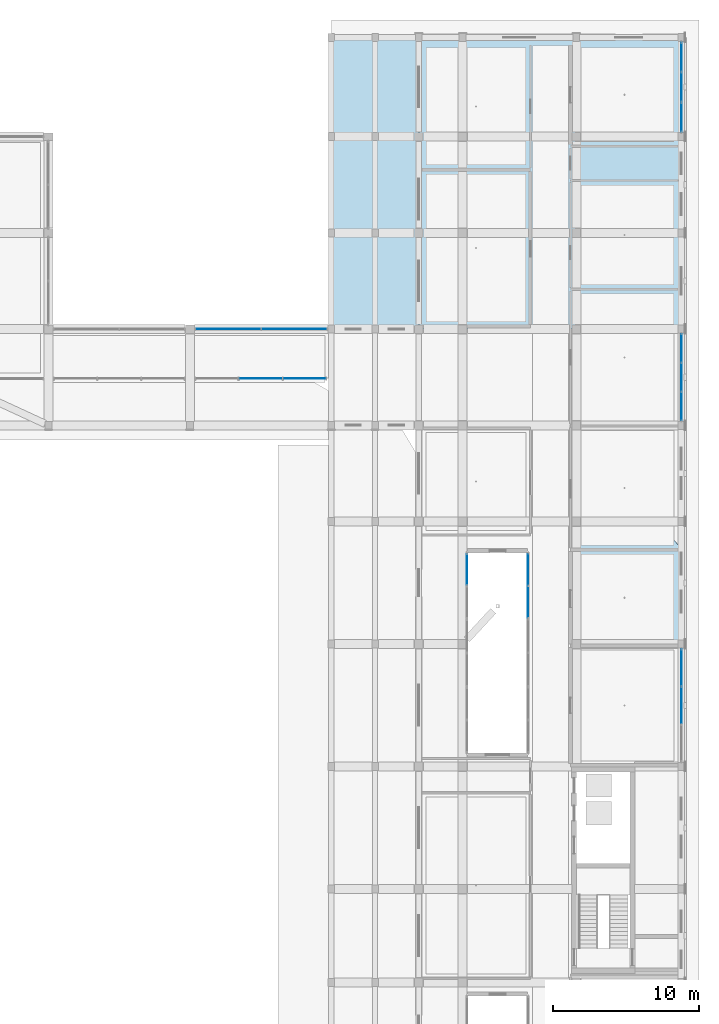
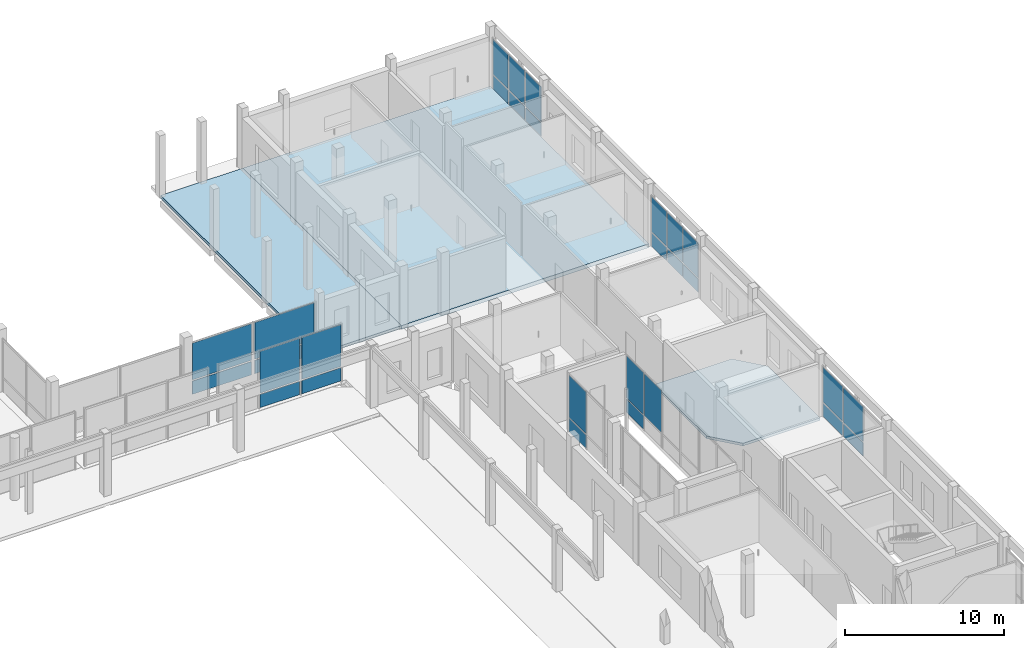
# One storey, part 45 of 88: 29 plates, 3 slabs, 7 elements without a shape of their own.
"""IFC4 building model written with IfcOpenShell, lengths in metres."""

from ifc_helpers import new_model, si_unit, derived_unit, direction, frame, origin, origin_2d, place, context, subcontext, project, spatial, polyline, rectangle, outline, extrude, material, layer, layer_set, type_object, element, aggregate, save


model = new_model("IFC4")

# Units and contexts
model_context = context("Model", 3, precision=1e-05, world=origin(), true_north=direction((0.0, 1.0)))
body_context = subcontext(model_context, "Body", "Model", "MODEL_VIEW")
ifc_project = project(units=[si_unit("LENGTHUNIT", "METRE"), si_unit("AREAUNIT", "SQUARE_METRE"), si_unit("VOLUMEUNIT", "CUBIC_METRE"), si_unit("PLANEANGLEUNIT", "RADIAN"), si_unit("MASSUNIT", "GRAM", prefix="KILO"), derived_unit("THERMALTRANSMITTANCEUNIT", [(si_unit("POWERUNIT", "WATT"), 1), (si_unit("LENGTHUNIT", "METRE"), -2), (si_unit("THERMODYNAMICTEMPERATUREUNIT", "KELVIN"), -1)])], contexts=[model_context])

# Site, building, storey
site_placement = place(None, origin())
site = spatial("IfcSite", under=ifc_project, at=site_placement, CompositionType="ELEMENT")
building_placement = place(site_placement, origin())
building = spatial("IfcBuilding", under=site, at=building_placement, Name="Braskholm Square Health Centre", CompositionType="ELEMENT")
storey_placement = place(building_placement, origin())
storey = spatial("IfcBuildingStorey", under=building, at=storey_placement, Name="L01", CompositionType="ELEMENT", Elevation=0.0)

# Slab
ifc_material_1 = material(Name="Precast concrete C40/50 architectural white", Category="concrete")
ifc_layer_1 = layer(ifc_material_1, 0.22509765625)
ifc_layer_set_1 = layer_set([ifc_layer_1], Name="Precast concrete C40/50 architectural white")
slab_type_1 = type_object("IfcSlabType", Name="ColonnadeWalkwaySlab225", PredefinedType="FLOOR", material=ifc_layer_set_1)
slab_1_placement = place(storey_placement, frame((0.0, 0.0, -0.22509765625)))
element("IfcSlab", 1, at=slab_1_placement, inside=storey, type_object=slab_type_1, Name="Northeast garden colonnade walkway", PredefinedType="FLOOR", context=body_context, shape_type="SweptSolid", body=[
    extrude(outline(polyline([(139.800048828125, 93.800048828125), (145.800048828125, 93.800048828125), (145.800048828125, 113.800048828125), (139.800048828125, 113.800048828125), (139.800048828125, 93.800048828125)])), origin(), (0.0, 0.0, 1.0), 0.22509765625),
])

# Curtain wall, plates
ifc_material_2 = material(Name="Low-E triple insulating glass (VLT 0.64)", Category="glass")
curtain_wall_type_1 = type_object("IfcCurtainWallType", Name="UnitisedCurtainWall6200x4100", PredefinedType="NOTDEFINED", material=ifc_material_2)
curtain_wall_1_placement = place(storey_placement, origin())
curtain_wall_1 = element("IfcCurtainWall", 2, at=curtain_wall_1_placement, inside=storey, type_object=curtain_wall_type_1, Name="East Storefront unitised curtain wall CW-L01-0050", PredefinedType="NOTDEFINED")
ifc_material_3 = material(Name="Architectural bronze anodised aluminium", Category="aluminium")
plate_type_1 = type_object("IfcPlateType", Name="CurtainPanelSpandrel1850x1020", PredefinedType="CURTAIN_PANEL", material=ifc_material_3)
plate_1_placement = place(storey_placement, frame((163.800048828125, 88.493408203125, 0.050048828125), z_axis=(0.0, 0.0, 1.0), x_axis=(0.0, 1.0, 0.0)))
plate_1 = element("IfcPlate", 3, at=plate_1_placement, type_object=plate_type_1, Name="CW-L01-0050 spandrel panel 1", PredefinedType="CURTAIN_PANEL", context=body_context, shape_type="SweptSolid", body=[
    extrude(rectangle(XDim=1.88623046875, YDim=0.035888671875, at=origin_2d()), origin(), (0.0, 0.0, 1.0), 1.02001953125),
])
plate_2_placement = place(storey_placement, frame((163.800048828125, 90.5, 0.050048828125), z_axis=(0.0, 0.0, 1.0), x_axis=(0.0, 1.0, 0.0)))
plate_2 = element("IfcPlate", 4, at=plate_2_placement, type_object=plate_type_1, Name="CW-L01-0050 spandrel panel 2", PredefinedType="CURTAIN_PANEL", context=body_context, shape_type="SweptSolid", body=[
    extrude(rectangle(XDim=1.88623046875, YDim=0.035888671875, at=origin_2d()), origin(), (0.0, 0.0, 1.0), 1.02001953125),
])
plate_3_placement = place(storey_placement, frame((163.800048828125, 92.506591796875, 0.050048828125), z_axis=(0.0, 0.0, 1.0), x_axis=(0.0, 1.0, 0.0)))
plate_3 = element("IfcPlate", 5, at=plate_3_placement, type_object=plate_type_1, Name="CW-L01-0050 spandrel panel 3", PredefinedType="CURTAIN_PANEL", context=body_context, shape_type="SweptSolid", body=[
    extrude(rectangle(XDim=1.88623046875, YDim=0.035888671875, at=origin_2d()), origin(), (0.0, 0.0, 1.0), 1.02001953125),
])

curtain_wall_2_placement = place(storey_placement, origin())
curtain_wall_2 = element("IfcCurtainWall", 6, at=curtain_wall_2_placement, inside=storey, type_object=curtain_wall_type_1, Name="East Storefront unitised curtain wall CW-L01-0051", PredefinedType="NOTDEFINED")
plate_4_placement = place(storey_placement, frame((163.800048828125, 108.32666015625, 0.050048828125), z_axis=(0.0, 0.0, 1.0), x_axis=(0.0, 1.0, 0.0)))
plate_4 = element("IfcPlate", 7, at=plate_4_placement, type_object=plate_type_1, Name="CW-L01-0051 spandrel panel 1", PredefinedType="CURTAIN_PANEL", context=body_context, shape_type="SweptSolid", body=[
    extrude(rectangle(XDim=1.948974609375, YDim=0.035888671875, at=origin_2d()), origin(), (0.0, 0.0, 1.0), 1.02001953125),
])
plate_5_placement = place(storey_placement, frame((163.800048828125, 110.39990234375, 0.050048828125), z_axis=(0.0, 0.0, 1.0), x_axis=(0.0, 1.0, 0.0)))
plate_5 = element("IfcPlate", 8, at=plate_5_placement, type_object=plate_type_1, Name="CW-L01-0051 spandrel panel 2", PredefinedType="CURTAIN_PANEL", context=body_context, shape_type="SweptSolid", body=[
    extrude(rectangle(XDim=1.948974609375, YDim=0.035888671875, at=origin_2d()), origin(), (0.0, 0.0, 1.0), 1.02001953125),
])
plate_6_placement = place(storey_placement, frame((163.800048828125, 112.473388671875, 0.050048828125), z_axis=(0.0, 0.0, 1.0), x_axis=(0.0, 1.0, 0.0)))
plate_6 = element("IfcPlate", 9, at=plate_6_placement, type_object=plate_type_1, Name="CW-L01-0051 spandrel panel 3", PredefinedType="CURTAIN_PANEL", context=body_context, shape_type="SweptSolid", body=[
    extrude(rectangle(XDim=1.948974609375, YDim=0.035888671875, at=origin_2d()), origin(), (0.0, 0.0, 1.0), 1.02001953125),
])

# Curtain wall, plate
curtain_wall_type_2 = type_object("IfcCurtainWallType", Name="UnitisedCurtainWall4800x4400", PredefinedType="NOTDEFINED", material=ifc_material_2)
curtain_wall_3_placement = place(storey_placement, origin())
curtain_wall_3 = element("IfcCurtainWall", 10, at=curtain_wall_3_placement, inside=storey, type_object=curtain_wall_type_2, Name="EC2 Court W unitised curtain wall CW-L01-0355", PredefinedType="NOTDEFINED")
plate_type_2 = type_object("IfcPlateType", Name="CurtainPanelSpandrel2150x1020", PredefinedType="CURTAIN_PANEL", material=ifc_material_3)
plate_7_placement = place(storey_placement, frame((149.10009765625, 77.31591796875, 0.050048828125), z_axis=(0.0, 0.0, 1.0), x_axis=(0.0, 1.0, 0.0)))
plate_7 = element("IfcPlate", 11, at=plate_7_placement, type_object=plate_type_2, Name="CW-L01-0355 spandrel panel 2", PredefinedType="CURTAIN_PANEL", context=body_context, shape_type="SweptSolid", body=[
    extrude(rectangle(XDim=2.125244140625, YDim=0.035888671875, at=origin_2d()), origin(), (0.0, 0.0, 1.0), 1.02001953125),
])

curtain_wall_4_placement = place(storey_placement, origin())
curtain_wall_4 = element("IfcCurtainWall", 12, at=curtain_wall_4_placement, inside=storey, type_object=curtain_wall_type_2, Name="EC2 Court E unitised curtain wall CW-L01-0356", PredefinedType="NOTDEFINED")
plate_8_placement = place(storey_placement, frame((153.300048828125, 77.31591796875, 0.050048828125), z_axis=(0.0, 0.0, 1.0), x_axis=(0.0, -1.0, 0.0)))
plate_8 = element("IfcPlate", 13, at=plate_8_placement, type_object=plate_type_2, Name="CW-L01-0356 spandrel panel 1", PredefinedType="CURTAIN_PANEL", context=body_context, shape_type="SweptSolid", body=[
    extrude(rectangle(XDim=2.125244140625, YDim=0.035888671875, at=origin_2d()), origin(), (0.0, 0.0, 1.0), 1.02001953125),
])

# Curtain wall, plates
curtain_wall_5_placement = place(storey_placement, origin())
curtain_wall_5 = element("IfcCurtainWall", 14, at=curtain_wall_5_placement, inside=storey, type_object=curtain_wall_type_1, Name="East Storefront unitised curtain wall CW-L01-0049", PredefinedType="NOTDEFINED")
plate_type_3 = type_object("IfcPlateType", Name="CurtainPanelSpandrel2750x1020", PredefinedType="CURTAIN_PANEL", material=ifc_material_3)
plate_9_placement = place(storey_placement, frame((163.800048828125, 68.0, 0.050048828125), z_axis=(0.0, 0.0, 1.0), x_axis=(0.0, 1.0, 0.0)))
plate_9 = element("IfcPlate", 15, at=plate_9_placement, type_object=plate_type_3, Name="CW-L01-0049 spandrel panel 2", PredefinedType="CURTAIN_PANEL", context=body_context, shape_type="SweptSolid", body=[
    extrude(rectangle(XDim=2.4501953125, YDim=0.035888671875, at=origin_2d()), origin(), (0.0, 0.0, 1.0), 1.02001953125),
])
plate_10_placement = place(storey_placement, frame((163.800048828125, 70.606689453125, 0.050048828125), z_axis=(0.0, 0.0, 1.0), x_axis=(0.0, 1.0, 0.0)))
plate_10 = element("IfcPlate", 16, at=plate_10_placement, type_object=plate_type_3, Name="CW-L01-0049 spandrel panel 3", PredefinedType="CURTAIN_PANEL", context=body_context, shape_type="SweptSolid", body=[
    extrude(rectangle(XDim=2.4501953125, YDim=0.035888671875, at=origin_2d()), origin(), (0.0, 0.0, 1.0), 1.02001953125),
])

curtain_wall_type_3 = type_object("IfcCurtainWallType", Name="UnitisedCurtainWall6200x4400", PredefinedType="NOTDEFINED", material=ifc_material_2)
curtain_wall_6_placement = place(storey_placement, origin())
curtain_wall_6 = element("IfcCurtainWall", 17, at=curtain_wall_6_placement, inside=storey, type_object=curtain_wall_type_3, Name="Hall Arcade unitised curtain wall CW-L01-0207", PredefinedType="NOTDEFINED")
plate_11_placement = place(storey_placement, frame((134.949951171875, 90.39990234375, 0.050048828125), z_axis=(0.0, 0.0, 1.0), x_axis=(1.0, 0.0, 0.0)))
plate_11 = element("IfcPlate", 18, at=plate_11_placement, type_object=plate_type_3, Name="CW-L01-0207 spandrel panel 2", PredefinedType="CURTAIN_PANEL", context=body_context, shape_type="SweptSolid", body=[
    extrude(rectangle(XDim=2.851318359375, YDim=0.035888671875, at=origin_2d()), origin(), (0.0, 0.0, 1.0), 1.02001953125),
])
plate_12_placement = place(storey_placement, frame((137.9833984375, 90.39990234375, 0.050048828125), z_axis=(0.0, 0.0, 1.0), x_axis=(1.0, 0.0, 0.0)))
plate_12 = element("IfcPlate", 19, at=plate_12_placement, type_object=plate_type_3, Name="CW-L01-0207 spandrel panel 3", PredefinedType="CURTAIN_PANEL", context=body_context, shape_type="SweptSolid", body=[
    extrude(rectangle(XDim=2.851318359375, YDim=0.035888671875, at=origin_2d()), origin(), (0.0, 0.0, 1.0), 1.02001953125),
])

curtain_wall_7_placement = place(storey_placement, origin())
curtain_wall_7 = element("IfcCurtainWall", 20, at=curtain_wall_7_placement, inside=storey, type_object=curtain_wall_type_1, Name="Portal North L01 unitised curtain wall CW-L01-0210", PredefinedType="NOTDEFINED")
plate_type_4 = type_object("IfcPlateType", Name="CurtainPanelSpandrel4350x1020", PredefinedType="CURTAIN_PANEL", material=ifc_material_3)
plate_13_placement = place(storey_placement, frame((137.256591796875, 93.800048828125, 0.050048828125), z_axis=(0.0, 0.0, 1.0), x_axis=(-1.0, 0.0, 0.0)))
plate_13 = element("IfcPlate", 21, at=plate_13_placement, type_object=plate_type_4, Name="CW-L01-0210 spandrel panel 1", PredefinedType="CURTAIN_PANEL", context=body_context, shape_type="SweptSolid", body=[
    extrude(rectangle(XDim=4.312744140625, YDim=0.035888671875, at=origin_2d()), origin(), (0.0, 0.0, 1.0), 1.02001953125),
])
plate_14_placement = place(storey_placement, frame((132.723388671875, 93.800048828125, 0.050048828125), z_axis=(0.0, 0.0, 1.0), x_axis=(-1.0, 0.0, 0.0)))
plate_14 = element("IfcPlate", 22, at=plate_14_placement, type_object=plate_type_4, Name="CW-L01-0210 spandrel panel 2", PredefinedType="CURTAIN_PANEL", context=body_context, shape_type="SweptSolid", body=[
    extrude(rectangle(XDim=4.312744140625, YDim=0.035888671875, at=origin_2d()), origin(), (0.0, 0.0, 1.0), 1.02001953125),
])

# Plate
plate_type_5 = type_object("IfcPlateType", Name="CurtainPanelVision1850x2520", PredefinedType="CURTAIN_PANEL", material=ifc_material_2)
plate_15_placement = place(storey_placement, frame((163.800048828125, 88.493408203125, 1.169921875), z_axis=(0.0, 0.0, 1.0), x_axis=(0.0, 1.0, 0.0)))
plate_15 = element("IfcPlate", 23, at=plate_15_placement, type_object=plate_type_5, Name="CW-L01-0050 vision glass panel 1", PredefinedType="CURTAIN_PANEL", context=body_context, shape_type="SweptSolid", body=[
    extrude(rectangle(XDim=1.88623046875, YDim=0.035888671875, at=origin_2d()), origin(), (0.0, 0.0, 1.0), 2.669921875),
])

plate_16_placement = place(storey_placement, frame((163.800048828125, 90.5, 1.169921875), z_axis=(0.0, 0.0, 1.0), x_axis=(0.0, 1.0, 0.0)))
plate_16 = element("IfcPlate", 24, at=plate_16_placement, type_object=plate_type_5, Name="CW-L01-0050 vision glass panel 2", PredefinedType="CURTAIN_PANEL", context=body_context, shape_type="SweptSolid", body=[
    extrude(rectangle(XDim=1.88623046875, YDim=0.035888671875, at=origin_2d()), origin(), (0.0, 0.0, 1.0), 2.669921875),
])

plate_17_placement = place(storey_placement, frame((163.800048828125, 92.506591796875, 1.169921875), z_axis=(0.0, 0.0, 1.0), x_axis=(0.0, 1.0, 0.0)))
plate_17 = element("IfcPlate", 25, at=plate_17_placement, type_object=plate_type_5, Name="CW-L01-0050 vision glass panel 3", PredefinedType="CURTAIN_PANEL", context=body_context, shape_type="SweptSolid", body=[
    extrude(rectangle(XDim=1.88623046875, YDim=0.035888671875, at=origin_2d()), origin(), (0.0, 0.0, 1.0), 2.669921875),
])

aggregate(curtain_wall_1, [plate_1, plate_15, plate_2, plate_16, plate_3, plate_17])

plate_18_placement = place(storey_placement, frame((163.800048828125, 108.32666015625, 1.169921875), z_axis=(0.0, 0.0, 1.0), x_axis=(0.0, 1.0, 0.0)))
plate_18 = element("IfcPlate", 26, at=plate_18_placement, type_object=plate_type_5, Name="CW-L01-0051 vision glass panel 1", PredefinedType="CURTAIN_PANEL", context=body_context, shape_type="SweptSolid", body=[
    extrude(rectangle(XDim=1.948974609375, YDim=0.035888671875, at=origin_2d()), origin(), (0.0, 0.0, 1.0), 2.669921875),
])

plate_19_placement = place(storey_placement, frame((163.800048828125, 110.39990234375, 1.169921875), z_axis=(0.0, 0.0, 1.0), x_axis=(0.0, 1.0, 0.0)))
plate_19 = element("IfcPlate", 27, at=plate_19_placement, type_object=plate_type_5, Name="CW-L01-0051 vision glass panel 2", PredefinedType="CURTAIN_PANEL", context=body_context, shape_type="SweptSolid", body=[
    extrude(rectangle(XDim=1.948974609375, YDim=0.035888671875, at=origin_2d()), origin(), (0.0, 0.0, 1.0), 2.669921875),
])

plate_20_placement = place(storey_placement, frame((163.800048828125, 112.473388671875, 1.169921875), z_axis=(0.0, 0.0, 1.0), x_axis=(0.0, 1.0, 0.0)))
plate_20 = element("IfcPlate", 28, at=plate_20_placement, type_object=plate_type_5, Name="CW-L01-0051 vision glass panel 3", PredefinedType="CURTAIN_PANEL", context=body_context, shape_type="SweptSolid", body=[
    extrude(rectangle(XDim=1.948974609375, YDim=0.035888671875, at=origin_2d()), origin(), (0.0, 0.0, 1.0), 2.669921875),
])

aggregate(curtain_wall_2, [plate_4, plate_18, plate_5, plate_19, plate_6, plate_20])

plate_type_6 = type_object("IfcPlateType", Name="CurtainPanelVision2150x2950", PredefinedType="CURTAIN_PANEL", material=ifc_material_2)
plate_21_placement = place(storey_placement, frame((149.10009765625, 77.31591796875, 1.169921875), z_axis=(0.0, 0.0, 1.0), x_axis=(0.0, 1.0, 0.0)))
plate_21 = element("IfcPlate", 29, at=plate_21_placement, type_object=plate_type_6, Name="CW-L01-0355 vision glass panel 2", PredefinedType="CURTAIN_PANEL", context=body_context, shape_type="SweptSolid", body=[
    extrude(rectangle(XDim=2.125244140625, YDim=0.035888671875, at=origin_2d()), origin(), (0.0, 0.0, 1.0), 3.219970703125),
])

aggregate(curtain_wall_3, [plate_7, plate_21])

plate_22_placement = place(storey_placement, frame((153.300048828125, 77.31591796875, 1.169921875), z_axis=(0.0, 0.0, 1.0), x_axis=(0.0, -1.0, 0.0)))
plate_22 = element("IfcPlate", 30, at=plate_22_placement, type_object=plate_type_6, Name="CW-L01-0356 vision glass panel 1", PredefinedType="CURTAIN_PANEL", context=body_context, shape_type="SweptSolid", body=[
    extrude(rectangle(XDim=2.125244140625, YDim=0.035888671875, at=origin_2d()), origin(), (0.0, 0.0, 1.0), 3.219970703125),
])

plate_23_placement = place(storey_placement, frame((153.300048828125, 75.08203125, 1.169921875), z_axis=(0.0, 0.0, 1.0), x_axis=(0.0, -1.0, 0.0)))
plate_23 = element("IfcPlate", 31, at=plate_23_placement, type_object=plate_type_6, Name="CW-L01-0356 vision glass panel 2", PredefinedType="CURTAIN_PANEL", context=body_context, shape_type="SweptSolid", body=[
    extrude(rectangle(XDim=2.125244140625, YDim=0.035888671875, at=origin_2d()), origin(), (0.0, 0.0, 1.0), 3.219970703125),
])

aggregate(curtain_wall_4, [plate_8, plate_22, plate_23])

plate_type_7 = type_object("IfcPlateType", Name="CurtainPanelVision2750x2520", PredefinedType="CURTAIN_PANEL", material=ifc_material_2)
plate_24_placement = place(storey_placement, frame((163.800048828125, 68.0, 1.169921875), z_axis=(0.0, 0.0, 1.0), x_axis=(0.0, 1.0, 0.0)))
plate_24 = element("IfcPlate", 32, at=plate_24_placement, type_object=plate_type_7, Name="CW-L01-0049 vision glass panel 2", PredefinedType="CURTAIN_PANEL", context=body_context, shape_type="SweptSolid", body=[
    extrude(rectangle(XDim=2.4501953125, YDim=0.035888671875, at=origin_2d()), origin(), (0.0, 0.0, 1.0), 2.669921875),
])

plate_25_placement = place(storey_placement, frame((163.800048828125, 70.606689453125, 1.169921875), z_axis=(0.0, 0.0, 1.0), x_axis=(0.0, 1.0, 0.0)))
plate_25 = element("IfcPlate", 33, at=plate_25_placement, type_object=plate_type_7, Name="CW-L01-0049 vision glass panel 3", PredefinedType="CURTAIN_PANEL", context=body_context, shape_type="SweptSolid", body=[
    extrude(rectangle(XDim=2.4501953125, YDim=0.035888671875, at=origin_2d()), origin(), (0.0, 0.0, 1.0), 2.669921875),
])

aggregate(curtain_wall_5, [plate_9, plate_24, plate_10, plate_25])

plate_type_8 = type_object("IfcPlateType", Name="CurtainPanelVision2750x2950", PredefinedType="CURTAIN_PANEL", material=ifc_material_2)
plate_26_placement = place(storey_placement, frame((134.949951171875, 90.39990234375, 1.169921875), z_axis=(0.0, 0.0, 1.0), x_axis=(1.0, 0.0, 0.0)))
plate_26 = element("IfcPlate", 34, at=plate_26_placement, type_object=plate_type_8, Name="CW-L01-0207 vision glass panel 2", PredefinedType="CURTAIN_PANEL", context=body_context, shape_type="SweptSolid", body=[
    extrude(rectangle(XDim=2.851318359375, YDim=0.035888671875, at=origin_2d()), origin(), (0.0, 0.0, 1.0), 3.219970703125),
])

plate_27_placement = place(storey_placement, frame((137.9833984375, 90.39990234375, 1.169921875), z_axis=(0.0, 0.0, 1.0), x_axis=(1.0, 0.0, 0.0)))
plate_27 = element("IfcPlate", 35, at=plate_27_placement, type_object=plate_type_8, Name="CW-L01-0207 vision glass panel 3", PredefinedType="CURTAIN_PANEL", context=body_context, shape_type="SweptSolid", body=[
    extrude(rectangle(XDim=2.851318359375, YDim=0.035888671875, at=origin_2d()), origin(), (0.0, 0.0, 1.0), 3.219970703125),
])

aggregate(curtain_wall_6, [plate_11, plate_26, plate_12, plate_27])

plate_type_9 = type_object("IfcPlateType", Name="CurtainPanelVision4350x2950", PredefinedType="CURTAIN_PANEL", material=ifc_material_2)
plate_28_placement = place(storey_placement, frame((137.256591796875, 93.800048828125, 1.169921875), z_axis=(0.0, 0.0, 1.0), x_axis=(-1.0, 0.0, 0.0)))
plate_28 = element("IfcPlate", 36, at=plate_28_placement, type_object=plate_type_9, Name="CW-L01-0210 vision glass panel 1", PredefinedType="CURTAIN_PANEL", context=body_context, shape_type="SweptSolid", body=[
    extrude(rectangle(XDim=4.312744140625, YDim=0.035888671875, at=origin_2d()), origin(), (0.0, 0.0, 1.0), 2.820068359375),
])

plate_29_placement = place(storey_placement, frame((132.723388671875, 93.800048828125, 1.169921875), z_axis=(0.0, 0.0, 1.0), x_axis=(-1.0, 0.0, 0.0)))
plate_29 = element("IfcPlate", 37, at=plate_29_placement, type_object=plate_type_9, Name="CW-L01-0210 vision glass panel 2", PredefinedType="CURTAIN_PANEL", context=body_context, shape_type="SweptSolid", body=[
    extrude(rectangle(XDim=4.312744140625, YDim=0.035888671875, at=origin_2d()), origin(), (0.0, 0.0, 1.0), 2.820068359375),
])

aggregate(curtain_wall_7, [plate_13, plate_28, plate_14, plate_29])

# Slabs
ifc_material_4 = material(Name="Concrete C35/45 (f'c = 35 MPa)", Category="concrete")
ifc_layer_2 = layer(ifc_material_4, 0.199951171875)
ifc_layer_set_2 = layer_set([ifc_layer_2], Name="Concrete C35/45 (f'c = 35 MPa)")
slab_type_2 = type_object("IfcSlabType", Name="PunchingDropPanel200", PredefinedType="USERDEFINED", material=ifc_layer_set_2)
slab_2_placement = place(storey_placement, frame((0.0, 0.0, -0.5)))
element("IfcSlab", 38, at=slab_2_placement, inside=storey, type_object=slab_type_2, Name="Thickened vibration drop panel 004 L01", ObjectType="DROPPANEL", PredefinedType="USERDEFINED", context=body_context, shape_type="SweptSolid", body=[
    extrude(outline(polyline([(158.18408203125, 72.199951171875), (163.800048828125, 72.199951171875), (163.800048828125, 78.751953125), (162.216064453125, 80.60009765625), (156.60009765625, 80.60009765625), (156.60009765625, 74.048095703125), (158.18408203125, 72.199951171875)])), origin(), (0.0, 0.0, 1.0), 0.199951171875),
])
ifc_layer_3 = layer(ifc_material_4, 0.300048828125)
ifc_layer_set_3 = layer_set([ifc_layer_3], Name="Concrete C35/45 (f'c = 35 MPa)")
slab_type_3 = type_object("IfcSlabType", Name="TwoWayClinicalFlatSlab300", PredefinedType="FLOOR", material=ifc_layer_set_3)
slab_3_placement = place(storey_placement, frame((0.0, 0.0, -0.300048828125)))
element("IfcSlab", 39, at=slab_3_placement, inside=storey, type_object=slab_type_3, Name="Level L01 V4E Northeast garden clinic slab", PredefinedType="FLOOR", context=body_context, shape_type="SweptSolid", body=[
    extrude(outline(polyline([(145.800048828125, 93.800048828125), (163.800048828125, 93.800048828125), (163.800048828125, 113.800048828125), (145.800048828125, 113.800048828125), (145.800048828125, 93.800048828125)])), origin(), (0.0, 0.0, 1.0), 0.300048828125),
])

save(model, "model.ifc")
